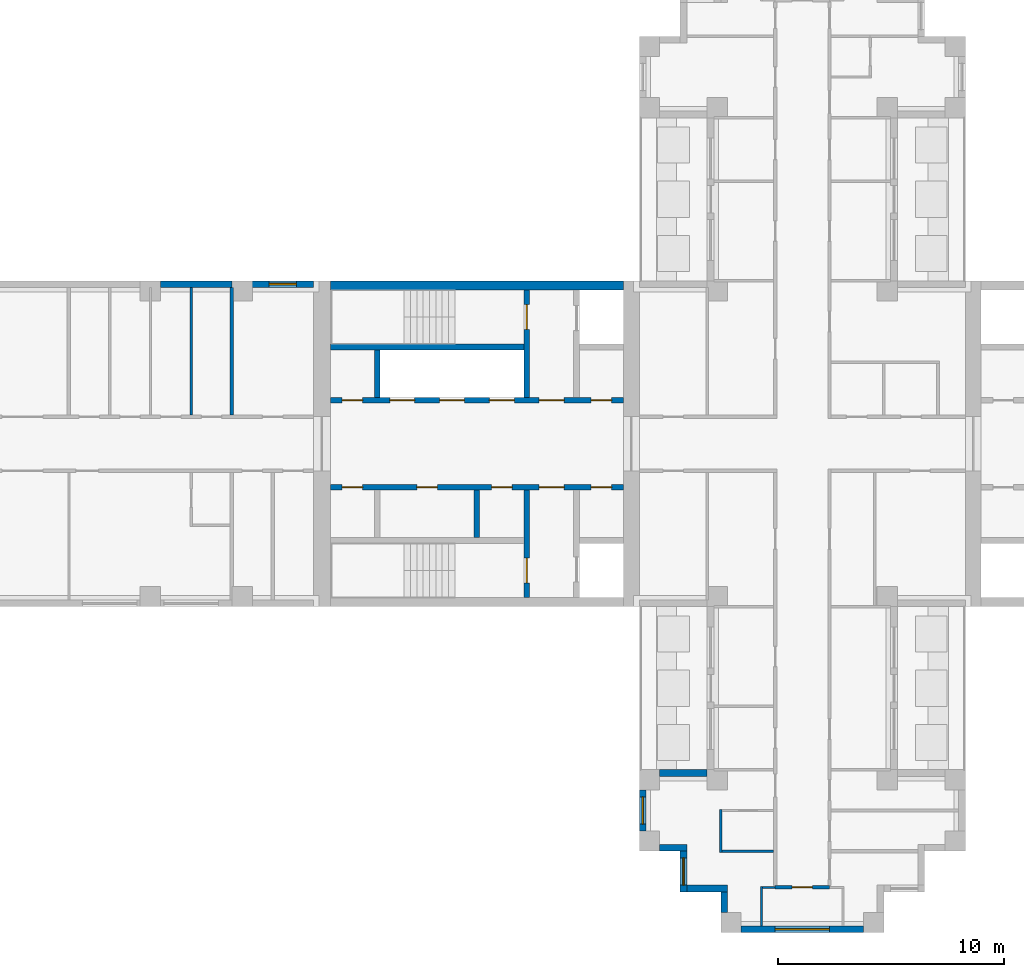
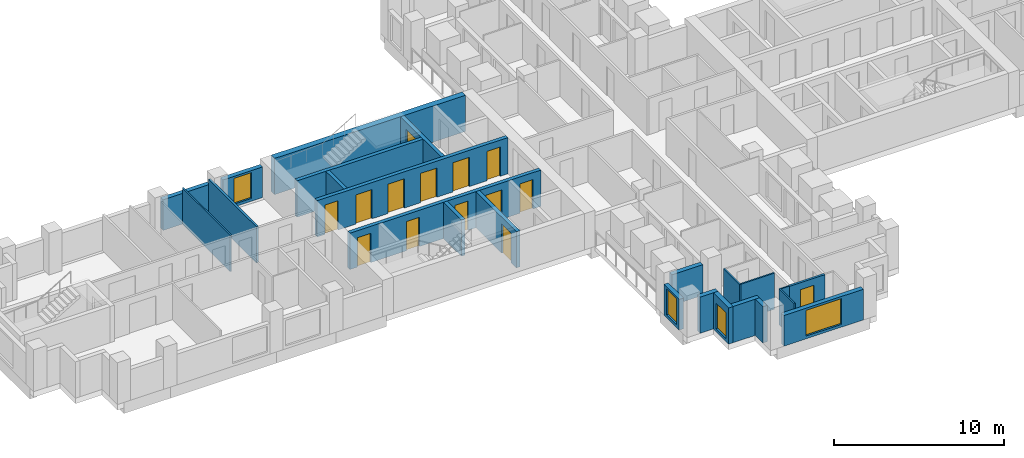
# One storey, part 3 of 10: 24 walls, 14 doors, 4 windows, 18 openings.
"""IFC4 building model written with IfcOpenShell, lengths in metres."""

from ifc_helpers import new_model, si_unit, direction, frame, frame_2d, origin, place, context, subcontext, project, spatial, rectangle, extrude, material, layer, layer_set, type_object, element, fill, save


model = new_model("IFC4")

# Units and contexts
model_context = context("Model", 3, precision=1e-05, world=origin(), true_north=direction((0.0, 1.0)))
body_context = subcontext(model_context, "Body", "Model", "MODEL_VIEW")
ifc_project = project(units=[si_unit("LENGTHUNIT", "METRE"), si_unit("AREAUNIT", "SQUARE_METRE"), si_unit("VOLUMEUNIT", "CUBIC_METRE"), si_unit("PLANEANGLEUNIT", "RADIAN"), si_unit("MASSUNIT", "GRAM", prefix="KILO")], contexts=[model_context])

# Site, building, storey
site_placement = place(None, origin())
site = spatial("IfcSite", under=ifc_project, at=site_placement, CompositionType="ELEMENT")
building_placement = place(site_placement, origin())
building = spatial("IfcBuilding", under=site, at=building_placement, Name="Fustian Cross Tower", CompositionType="ELEMENT")
storey_placement = place(building_placement, frame((0.0, 0.0, 185.699951171875)))
storey = spatial("IfcBuildingStorey", under=building, at=storey_placement, Name="L58", CompositionType="ELEMENT", Elevation=185.699951171875)

# Wall
ifc_material_1 = material(Name="Plasterboard on steel stud", Category="steel")
ifc_layer_1 = layer(ifc_material_1, 0.14990234375)
ifc_layer_set_1 = layer_set([ifc_layer_1], Name="Plasterboard on steel stud")
wall_type_1 = type_object("IfcWallType", Name="COMPARTMENT WALL 150 EI 60", PredefinedType="PARTITIONING", material=ifc_layer_set_1)
wall_1_placement = place(storey_placement, frame((-25.199951171875, 1.27490234375, 0.0), z_axis=(0.0, 0.0, 1.0), x_axis=(0.0, 1.0, 0.0)))
element("IfcWall", 1, at=wall_1_placement, inside=storey, type_object=wall_type_1, Name="Partition 11", PredefinedType="PARTITIONING", context=body_context, shape_type="SweptSolid", body=[
    extrude(rectangle(XDim=5.625, YDim=0.14990234375, at=frame_2d((2.8125, 0.0))), origin(), (0.0, 0.0, 1.0), 2.60009765625),
])

# Wall, opening, door
wall_2_placement = place(storey_placement, frame((-1.199951171875, -19.60009765625, 0.0), z_axis=(0.0, 0.0, 1.0), x_axis=(1.0, 0.0, 0.0)))
wall_2 = element("IfcWall", 2, at=wall_2_placement, inside=storey, type_object=wall_type_1, Name="Partition 32", PredefinedType="PARTITIONING", context=body_context, shape_type="SweptSolid", body=[
    extrude(rectangle(XDim=2.39990234375, YDim=0.14990234375, at=frame_2d((1.199951171875, 0.0))), origin(), (0.0, 0.0, 1.0), 2.60009765625),
])
opening_1_placement = place(wall_2_placement, frame((0.75, 0.0, 0.0)))
opening_1 = element("IfcOpeningElement", 3, at=opening_1_placement, cuts=wall_2, Name="Opening D26038", PredefinedType="OPENING", context=body_context, shape_type="SweptSolid", body=[
    extrude(rectangle(XDim=0.89990234375, YDim=2.10009765625, at=frame_2d((0.449951171875, 1.050048828125))), frame((0.0, 0.0849609375, 0.0), z_axis=(0.0, -1.0, 0.0), x_axis=(1.0, 0.0, 0.0)), (0.0, 0.0, 1.0), 0.169921875),
])
ifc_material_2 = material(Name="Timber fire door set", Category="wood")
door_type_1 = type_object("IfcDoorType", Name="FIRE SWING DOOR 900 FD30S", OperationType="SINGLE_SWING_LEFT", PredefinedType="DOOR", material=ifc_material_2)
door_1_placement = place(opening_1_placement, frame((0.89990234375, 0.0, 0.0), z_axis=(0.0, 0.0, 1.0), x_axis=(-1.0, 0.0, 0.0)))
door_1 = element("IfcDoor", 4, at=door_1_placement, inside=storey, type_object=door_type_1, Name="Door D26038", OperationType="SINGLE_SWING_RIGHT", OverallHeight=2.10009765625, OverallWidth=0.89990234375, PredefinedType="DOOR", context=body_context, shape_type="SweptSolid", body=[
    extrude(rectangle(XDim=0.89990234375, YDim=2.10009765625, at=frame_2d((0.449951171875, 1.050048828125))), frame((0.0, 0.02490234375, 0.0), z_axis=(0.0, -1.0, 0.0), x_axis=(1.0, 0.0, 0.0)), (0.0, 0.0, 1.0), 0.050048828125),
])
fill(opening_1, door_1)

# Wall
ifc_material_3 = material(Name="Concrete C50/60", Category="concrete")
ifc_layer_2 = layer(ifc_material_3, 0.39990234375)
ifc_layer_set_2 = layer_set([ifc_layer_2], Name="Concrete C50/60")
wall_type_2 = type_object("IfcWallType", Name="CORE FACADE WALL 400 C50/60", PredefinedType="SHEAR", material=ifc_layer_set_2)
wall_3_placement = place(storey_placement, frame((-7.89990234375, 7.0, 0.0), z_axis=(0.0, 0.0, 1.0), x_axis=(-1.0, 0.0, 0.0)))
element("IfcWall", 5, at=wall_3_placement, inside=storey, type_object=wall_type_2, Name="Core facade wall", PredefinedType="SHEAR", context=body_context, shape_type="SweptSolid", body=[
    extrude(rectangle(XDim=12.9501953125, YDim=0.39990234375, at=frame_2d((6.47509765625, 0.0))), origin(), (0.0, 0.0, 1.0), 2.60009765625),
])

# Wall, openings, doors
ifc_material_4 = material(Name="Concrete C50/60", Category="concrete")
ifc_layer_3 = layer(ifc_material_4, 0.25)
ifc_layer_set_3 = layer_set([ifc_layer_3], Name="Concrete C50/60")
wall_type_3 = type_object("IfcWallType", Name="CORE LOBBY WALL 250 C50/60", PredefinedType="SHEAR", material=ifc_layer_set_3)
wall_4_placement = place(storey_placement, frame((-7.89990234375, 1.925048828125, 0.0), z_axis=(0.0, 0.0, 1.0), x_axis=(-1.0, 0.0, 0.0)))
wall_4 = element("IfcWall", 6, at=wall_4_placement, inside=storey, type_object=wall_type_3, Name="Core lobby wall", PredefinedType="SHEAR", context=body_context, shape_type="SweptSolid", body=[
    extrude(rectangle(XDim=12.9501953125, YDim=0.25, at=frame_2d((6.47509765625, 0.0))), origin(), (0.0, 0.0, 1.0), 2.60009765625),
])
opening_2_placement = place(wall_4_placement, frame((4.824951171875, 0.0, 0.0)))
opening_2 = element("IfcOpeningElement", 7, at=opening_2_placement, cuts=wall_4, Name="Opening LD", PredefinedType="OPENING", context=body_context, shape_type="SweptSolid", body=[
    extrude(rectangle(XDim=1.10009765625, YDim=2.10009765625, at=frame_2d((0.550048828125, 1.050048828125))), frame((0.0, 0.135009765625, 0.0), z_axis=(0.0, -1.0, 0.0), x_axis=(1.0, 0.0, 0.0)), (0.0, 0.0, 1.0), 0.27001953125),
])
opening_3_placement = place(wall_4_placement, frame((7.02490234375, 0.0, 0.0)))
opening_3 = element("IfcOpeningElement", 8, at=opening_3_placement, cuts=wall_4, Name="Opening LD", PredefinedType="OPENING", context=body_context, shape_type="SweptSolid", body=[
    extrude(rectangle(XDim=1.10009765625, YDim=2.10009765625, at=frame_2d((0.550048828125, 1.050048828125))), frame((0.0, 0.135009765625, 0.0), z_axis=(0.0, -1.0, 0.0), x_axis=(1.0, 0.0, 0.0)), (0.0, 0.0, 1.0), 0.27001953125),
])
opening_4_placement = place(wall_4_placement, frame((9.22509765625, 0.0, 0.0)))
opening_4 = element("IfcOpeningElement", 9, at=opening_4_placement, cuts=wall_4, Name="Opening LD", PredefinedType="OPENING", context=body_context, shape_type="SweptSolid", body=[
    extrude(rectangle(XDim=1.10009765625, YDim=2.10009765625, at=frame_2d((0.550048828125, 1.050048828125))), frame((0.0, 0.135009765625, 0.0), z_axis=(0.0, -1.0, 0.0), x_axis=(1.0, 0.0, 0.0)), (0.0, 0.0, 1.0), 0.27001953125),
])
opening_5_placement = place(wall_4_placement, frame((0.52490234375, 0.0, 0.0)))
opening_5 = element("IfcOpeningElement", 10, at=opening_5_placement, cuts=wall_4, Name="Opening CD-23-25", PredefinedType="OPENING", context=body_context, shape_type="SweptSolid", body=[
    extrude(rectangle(XDim=0.89990234375, YDim=2.10009765625, at=frame_2d((0.449951171875, 1.050048828125))), frame((0.0, 0.135009765625, 0.0), z_axis=(0.0, -1.0, 0.0), x_axis=(1.0, 0.0, 0.0)), (0.0, 0.0, 1.0), 0.27001953125),
])
opening_6_placement = place(wall_4_placement, frame((2.625, 0.0, 0.0)))
opening_6 = element("IfcOpeningElement", 11, at=opening_6_placement, cuts=wall_4, Name="Opening CD-23-27", PredefinedType="OPENING", context=body_context, shape_type="SweptSolid", body=[
    extrude(rectangle(XDim=1.10009765625, YDim=2.10009765625, at=frame_2d((0.550048828125, 1.050048828125))), frame((0.0, 0.135009765625, 0.0), z_axis=(0.0, -1.0, 0.0), x_axis=(1.0, 0.0, 0.0)), (0.0, 0.0, 1.0), 0.27001953125),
])
opening_7_placement = place(wall_4_placement, frame((11.52490234375, 0.0, 0.0)))
opening_7 = element("IfcOpeningElement", 12, at=opening_7_placement, cuts=wall_4, Name="Opening CD-23-31", PredefinedType="OPENING", context=body_context, shape_type="SweptSolid", body=[
    extrude(rectangle(XDim=0.89990234375, YDim=2.10009765625, at=frame_2d((0.449951171875, 1.050048828125))), frame((0.0, 0.135009765625, 0.0), z_axis=(0.0, -1.0, 0.0), x_axis=(1.0, 0.0, 0.0)), (0.0, 0.0, 1.0), 0.27001953125),
])
ifc_material_5 = material(Name="Steel", Category="steel")
door_type_2 = type_object("IfcDoorType", Name="FIRE DOOR FD30S 900X2100", OperationType="SINGLE_SWING_LEFT", PredefinedType="DOOR", material=ifc_material_5)
door_2_placement = place(opening_7_placement, frame((0.89990234375, 0.0, 0.0), z_axis=(0.0, 0.0, 1.0), x_axis=(-1.0, 0.0, 0.0)))
door_2 = element("IfcDoor", 13, at=door_2_placement, inside=storey, type_object=door_type_2, Name="Core door CD-23-31", OperationType="SINGLE_SWING_RIGHT", OverallHeight=2.10009765625, OverallWidth=0.89990234375, PredefinedType="DOOR", context=body_context, shape_type="SweptSolid", body=[
    extrude(rectangle(XDim=0.89990234375, YDim=2.10009765625, at=frame_2d((0.449951171875, 1.050048828125))), frame((0.0, 0.02490234375, 0.0), z_axis=(0.0, -1.0, 0.0), x_axis=(1.0, 0.0, 0.0)), (0.0, 0.0, 1.0), 0.050048828125),
])
fill(opening_7, door_2)
ifc_material_6 = material(Name="Steel", Category="steel")
door_type_3 = type_object("IfcDoorType", Name="FIRE DOOR FD60S 1100X2100", OperationType="SINGLE_SWING_LEFT", PredefinedType="DOOR", material=ifc_material_6)
door_3_placement = place(opening_6_placement, frame((1.10009765625, 0.0, 0.0), z_axis=(0.0, 0.0, 1.0), x_axis=(-1.0, 0.0, 0.0)))
door_3 = element("IfcDoor", 14, at=door_3_placement, inside=storey, type_object=door_type_3, Name="Core door CD-23-27", OperationType="SINGLE_SWING_RIGHT", OverallHeight=2.10009765625, OverallWidth=1.10009765625, PredefinedType="DOOR", context=body_context, shape_type="SweptSolid", body=[
    extrude(rectangle(XDim=1.10009765625, YDim=2.10009765625, at=frame_2d((0.550048828125, 1.050048828125))), frame((0.0, 0.02490234375, 0.0), z_axis=(0.0, -1.0, 0.0), x_axis=(1.0, 0.0, 0.0)), (0.0, 0.0, 1.0), 0.050048828125),
])
fill(opening_6, door_3)
ifc_material_7 = material(Name="Steel", Category="steel")
door_type_4 = type_object("IfcDoorType", Name="FIRE DOOR FD60S 900X2100", OperationType="SINGLE_SWING_LEFT", PredefinedType="DOOR", material=ifc_material_7)
door_4_placement = place(opening_5_placement, frame((0.89990234375, 0.0, 0.0), z_axis=(0.0, 0.0, 1.0), x_axis=(-1.0, 0.0, 0.0)))
door_4 = element("IfcDoor", 15, at=door_4_placement, inside=storey, type_object=door_type_4, Name="Core door CD-23-25", OperationType="SINGLE_SWING_RIGHT", OverallHeight=2.10009765625, OverallWidth=0.89990234375, PredefinedType="DOOR", context=body_context, shape_type="SweptSolid", body=[
    extrude(rectangle(XDim=0.89990234375, YDim=2.10009765625, at=frame_2d((0.449951171875, 1.050048828125))), frame((0.0, 0.02490234375, 0.0), z_axis=(0.0, -1.0, 0.0), x_axis=(1.0, 0.0, 0.0)), (0.0, 0.0, 1.0), 0.050048828125),
])
fill(opening_5, door_4)
ifc_material_8 = material(Name="Stainless steel", Category="steel")
door_type_5 = type_object("IfcDoorType", Name="LIFT LANDING DOOR 1100X2100", OperationType="SLIDING_TO_LEFT", PredefinedType="DOOR", material=ifc_material_8)
door_5_placement = place(opening_2_placement, origin())
door_5 = element("IfcDoor", 16, at=door_5_placement, inside=storey, type_object=door_type_5, Name="Landing door HR1W", OperationType="SLIDING_TO_LEFT", OverallHeight=2.10009765625, OverallWidth=1.10009765625, PredefinedType="DOOR", context=body_context, shape_type="SweptSolid", body=[
    extrude(rectangle(XDim=1.10009765625, YDim=2.10009765625, at=frame_2d((0.550048828125, 1.050048828125))), frame((0.0, 0.02490234375, 0.0), z_axis=(0.0, -1.0, 0.0), x_axis=(1.0, 0.0, 0.0)), (0.0, 0.0, 1.0), 0.050048828125),
])
fill(opening_2, door_5)
door_6_placement = place(opening_3_placement, origin())
door_6 = element("IfcDoor", 17, at=door_6_placement, inside=storey, type_object=door_type_5, Name="Landing door HR2W", OperationType="SLIDING_TO_LEFT", OverallHeight=2.10009765625, OverallWidth=1.10009765625, PredefinedType="DOOR", context=body_context, shape_type="SweptSolid", body=[
    extrude(rectangle(XDim=1.10009765625, YDim=2.10009765625, at=frame_2d((0.550048828125, 1.050048828125))), frame((0.0, 0.02490234375, 0.0), z_axis=(0.0, -1.0, 0.0), x_axis=(1.0, 0.0, 0.0)), (0.0, 0.0, 1.0), 0.050048828125),
])
fill(opening_3, door_6)
door_7_placement = place(opening_4_placement, origin())
door_7 = element("IfcDoor", 18, at=door_7_placement, inside=storey, type_object=door_type_5, Name="Landing door HR3W", OperationType="SLIDING_TO_LEFT", OverallHeight=2.10009765625, OverallWidth=1.10009765625, PredefinedType="DOOR", context=body_context, shape_type="SweptSolid", body=[
    extrude(rectangle(XDim=1.10009765625, YDim=2.10009765625, at=frame_2d((0.550048828125, 1.050048828125))), frame((0.0, 0.02490234375, 0.0), z_axis=(0.0, -1.0, 0.0), x_axis=(1.0, 0.0, 0.0)), (0.0, 0.0, 1.0), 0.050048828125),
])
fill(opening_4, door_7)

wall_5_placement = place(storey_placement, frame((-7.89990234375, -1.925048828125, 0.0), z_axis=(0.0, 0.0, 1.0), x_axis=(-1.0, 0.0, 0.0)))
wall_5 = element("IfcWall", 19, at=wall_5_placement, inside=storey, type_object=wall_type_3, Name="Core lobby wall", PredefinedType="SHEAR", context=body_context, shape_type="SweptSolid", body=[
    extrude(rectangle(XDim=12.9501953125, YDim=0.25, at=frame_2d((6.47509765625, 0.0))), origin(), (0.0, 0.0, 1.0), 2.60009765625),
])
opening_8_placement = place(wall_5_placement, frame((0.52490234375, 0.0, 0.0)))
opening_8 = element("IfcOpeningElement", 20, at=opening_8_placement, cuts=wall_5, Name="Opening CD-23-26", PredefinedType="OPENING", context=body_context, shape_type="SweptSolid", body=[
    extrude(rectangle(XDim=0.89990234375, YDim=2.10009765625, at=frame_2d((0.449951171875, 1.050048828125))), frame((0.0, 0.135009765625, 0.0), z_axis=(0.0, -1.0, 0.0), x_axis=(1.0, 0.0, 0.0)), (0.0, 0.0, 1.0), 0.27001953125),
])
opening_9_placement = place(wall_5_placement, frame((2.625, 0.0, 0.0)))
opening_9 = element("IfcOpeningElement", 21, at=opening_9_placement, cuts=wall_5, Name="Opening CD-23-28", PredefinedType="OPENING", context=body_context, shape_type="SweptSolid", body=[
    extrude(rectangle(XDim=1.10009765625, YDim=2.10009765625, at=frame_2d((0.550048828125, 1.050048828125))), frame((0.0, 0.135009765625, 0.0), z_axis=(0.0, -1.0, 0.0), x_axis=(1.0, 0.0, 0.0)), (0.0, 0.0, 1.0), 0.27001953125),
])
opening_10_placement = place(wall_5_placement, frame((4.925048828125, 0.0, 0.0)))
opening_10 = element("IfcOpeningElement", 22, at=opening_10_placement, cuts=wall_5, Name="Opening CD-23-32", PredefinedType="OPENING", context=body_context, shape_type="SweptSolid", body=[
    extrude(rectangle(XDim=0.89990234375, YDim=2.10009765625, at=frame_2d((0.449951171875, 1.050048828125))), frame((0.0, 0.135009765625, 0.0), z_axis=(0.0, -1.0, 0.0), x_axis=(1.0, 0.0, 0.0)), (0.0, 0.0, 1.0), 0.27001953125),
])
opening_11_placement = place(wall_5_placement, frame((8.22509765625, 0.0, 0.0)))
opening_11 = element("IfcOpeningElement", 23, at=opening_11_placement, cuts=wall_5, Name="Opening CD-23-33", PredefinedType="OPENING", context=body_context, shape_type="SweptSolid", body=[
    extrude(rectangle(XDim=0.89990234375, YDim=2.10009765625, at=frame_2d((0.449951171875, 1.050048828125))), frame((0.0, 0.135009765625, 0.0), z_axis=(0.0, -1.0, 0.0), x_axis=(1.0, 0.0, 0.0)), (0.0, 0.0, 1.0), 0.27001953125),
])
opening_12_placement = place(wall_5_placement, frame((11.52490234375, 0.0, 0.0)))
opening_12 = element("IfcOpeningElement", 24, at=opening_12_placement, cuts=wall_5, Name="Opening CD-23-34", PredefinedType="OPENING", context=body_context, shape_type="SweptSolid", body=[
    extrude(rectangle(XDim=0.89990234375, YDim=2.10009765625, at=frame_2d((0.449951171875, 1.050048828125))), frame((0.0, 0.135009765625, 0.0), z_axis=(0.0, -1.0, 0.0), x_axis=(1.0, 0.0, 0.0)), (0.0, 0.0, 1.0), 0.27001953125),
])
ifc_material_9 = material(Name="Steel", Category="steel")
door_type_6 = type_object("IfcDoorType", Name="FIRE DOOR FD30S 1100X2100", OperationType="SINGLE_SWING_LEFT", PredefinedType="DOOR", material=ifc_material_9)
door_8_placement = place(opening_9_placement, frame((1.10009765625, 0.0, 0.0), z_axis=(0.0, 0.0, 1.0), x_axis=(-1.0, 0.0, 0.0)))
door_8 = element("IfcDoor", 25, at=door_8_placement, inside=storey, type_object=door_type_6, Name="Core door CD-23-28", OperationType="SINGLE_SWING_RIGHT", OverallHeight=2.10009765625, OverallWidth=1.10009765625, PredefinedType="DOOR", context=body_context, shape_type="SweptSolid", body=[
    extrude(rectangle(XDim=1.10009765625, YDim=2.10009765625, at=frame_2d((0.550048828125, 1.050048828125))), frame((0.0, 0.02490234375, 0.0), z_axis=(0.0, -1.0, 0.0), x_axis=(1.0, 0.0, 0.0)), (0.0, 0.0, 1.0), 0.050048828125),
])
fill(opening_9, door_8)
door_9_placement = place(opening_8_placement, origin())
door_9 = element("IfcDoor", 26, at=door_9_placement, inside=storey, type_object=door_type_2, Name="Core door CD-23-26", OperationType="SINGLE_SWING_LEFT", OverallHeight=2.10009765625, OverallWidth=0.89990234375, PredefinedType="DOOR", context=body_context, shape_type="SweptSolid", body=[
    extrude(rectangle(XDim=0.89990234375, YDim=2.10009765625, at=frame_2d((0.449951171875, 1.050048828125))), frame((0.0, 0.02490234375, 0.0), z_axis=(0.0, -1.0, 0.0), x_axis=(1.0, 0.0, 0.0)), (0.0, 0.0, 1.0), 0.050048828125),
])
fill(opening_8, door_9)
door_10_placement = place(opening_10_placement, origin())
door_10 = element("IfcDoor", 27, at=door_10_placement, inside=storey, type_object=door_type_2, Name="Core door CD-23-32", OperationType="SINGLE_SWING_LEFT", OverallHeight=2.10009765625, OverallWidth=0.89990234375, PredefinedType="DOOR", context=body_context, shape_type="SweptSolid", body=[
    extrude(rectangle(XDim=0.89990234375, YDim=2.10009765625, at=frame_2d((0.449951171875, 1.050048828125))), frame((0.0, 0.02490234375, 0.0), z_axis=(0.0, -1.0, 0.0), x_axis=(1.0, 0.0, 0.0)), (0.0, 0.0, 1.0), 0.050048828125),
])
fill(opening_10, door_10)
door_11_placement = place(opening_11_placement, origin())
door_11 = element("IfcDoor", 28, at=door_11_placement, inside=storey, type_object=door_type_2, Name="Core door CD-23-33", OperationType="SINGLE_SWING_RIGHT", OverallHeight=2.10009765625, OverallWidth=0.89990234375, PredefinedType="DOOR", context=body_context, shape_type="SweptSolid", body=[
    extrude(rectangle(XDim=0.89990234375, YDim=2.10009765625, at=frame_2d((0.449951171875, 1.050048828125))), frame((0.0, 0.02490234375, 0.0), z_axis=(0.0, -1.0, 0.0), x_axis=(1.0, 0.0, 0.0)), (0.0, 0.0, 1.0), 0.050048828125),
])
fill(opening_11, door_11)
door_12_placement = place(opening_12_placement, origin())
door_12 = element("IfcDoor", 29, at=door_12_placement, inside=storey, type_object=door_type_2, Name="Core door CD-23-34", OperationType="SINGLE_SWING_LEFT", OverallHeight=2.10009765625, OverallWidth=0.89990234375, PredefinedType="DOOR", context=body_context, shape_type="SweptSolid", body=[
    extrude(rectangle(XDim=0.89990234375, YDim=2.10009765625, at=frame_2d((0.449951171875, 1.050048828125))), frame((0.0, 0.02490234375, 0.0), z_axis=(0.0, -1.0, 0.0), x_axis=(1.0, 0.0, 0.0)), (0.0, 0.0, 1.0), 0.050048828125),
])
fill(opening_12, door_12)

# Wall
ifc_material_10 = material(Name="Concrete C50/60", Category="concrete")
ifc_layer_4 = layer(ifc_material_10, 0.25)
ifc_layer_set_4 = layer_set([ifc_layer_4], Name="Concrete C50/60")
wall_type_4 = type_object("IfcWallType", Name="CORE SHAFT WALL 250 C50/60", PredefinedType="SHEAR", material=ifc_layer_set_4)
wall_6_placement = place(storey_placement, frame((-12.300048828125, 4.27490234375, 0.0), z_axis=(0.0, 0.0, 1.0), x_axis=(-1.0, 0.0, 0.0)))
element("IfcWall", 30, at=wall_6_placement, inside=storey, type_object=wall_type_4, Name="Core shaft wall", PredefinedType="SHEAR", context=body_context, shape_type="SweptSolid", body=[
    extrude(rectangle(XDim=8.550048828125, YDim=0.25, at=frame_2d((4.27490234375, 0.0))), origin(), (0.0, 0.0, 1.0), 2.60009765625),
])

# Wall, opening, door
wall_7_placement = place(storey_placement, frame((-12.175048828125, 2.050048828125, 0.0), z_axis=(0.0, 0.0, 1.0), x_axis=(0.0, 1.0, 0.0)))
wall_7 = element("IfcWall", 31, at=wall_7_placement, inside=storey, type_object=wall_type_4, Name="Core shaft wall", PredefinedType="SHEAR", context=body_context, shape_type="SweptSolid", body=[
    extrude(rectangle(XDim=4.75, YDim=0.25, at=frame_2d((2.375, 0.0))), origin(), (0.0, 0.0, 1.0), 2.60009765625),
])
opening_13_placement = place(wall_7_placement, frame((3.0, 0.0, 0.0)))
opening_13 = element("IfcOpeningElement", 32, at=opening_13_placement, cuts=wall_7, Name="Opening CD-23-23", PredefinedType="OPENING", context=body_context, shape_type="SweptSolid", body=[
    extrude(rectangle(XDim=1.10009765625, YDim=2.10009765625, at=frame_2d((0.550048828125, 1.050048828125))), frame((0.0, 0.135009765625, 0.0), z_axis=(0.0, -1.0, 0.0), x_axis=(1.0, 0.0, 0.0)), (0.0, 0.0, 1.0), 0.27001953125),
])
door_13_placement = place(opening_13_placement, origin())
door_13 = element("IfcDoor", 33, at=door_13_placement, inside=storey, type_object=door_type_3, Name="Core door CD-23-23", OperationType="SINGLE_SWING_LEFT", OverallHeight=2.10009765625, OverallWidth=1.10009765625, PredefinedType="DOOR", context=body_context, shape_type="SweptSolid", body=[
    extrude(rectangle(XDim=1.10009765625, YDim=2.10009765625, at=frame_2d((0.550048828125, 1.050048828125))), frame((0.0, 0.02490234375, 0.0), z_axis=(0.0, -1.0, 0.0), x_axis=(1.0, 0.0, 0.0)), (0.0, 0.0, 1.0), 0.050048828125),
])
fill(opening_13, door_13)

wall_8_placement = place(storey_placement, frame((-12.175048828125, -2.050048828125, 0.0), z_axis=(0.0, 0.0, 1.0), x_axis=(0.0, -1.0, 0.0)))
wall_8 = element("IfcWall", 34, at=wall_8_placement, inside=storey, type_object=wall_type_4, Name="Core shaft wall", PredefinedType="SHEAR", context=body_context, shape_type="SweptSolid", body=[
    extrude(rectangle(XDim=4.75, YDim=0.25, at=frame_2d((2.375, 0.0))), origin(), (0.0, 0.0, 1.0), 2.60009765625),
])
opening_14_placement = place(wall_8_placement, frame((3.0, 0.0, 0.0)))
opening_14 = element("IfcOpeningElement", 35, at=opening_14_placement, cuts=wall_8, Name="Opening CD-23-24", PredefinedType="OPENING", context=body_context, shape_type="SweptSolid", body=[
    extrude(rectangle(XDim=1.10009765625, YDim=2.10009765625, at=frame_2d((0.550048828125, 1.050048828125))), frame((0.0, 0.135009765625, 0.0), z_axis=(0.0, -1.0, 0.0), x_axis=(1.0, 0.0, 0.0)), (0.0, 0.0, 1.0), 0.27001953125),
])
door_14_placement = place(opening_14_placement, frame((1.10009765625, 0.0, 0.0), z_axis=(0.0, 0.0, 1.0), x_axis=(-1.0, 0.0, 0.0)))
door_14 = element("IfcDoor", 36, at=door_14_placement, inside=storey, type_object=door_type_3, Name="Core door CD-23-24", OperationType="SINGLE_SWING_RIGHT", OverallHeight=2.10009765625, OverallWidth=1.10009765625, PredefinedType="DOOR", context=body_context, shape_type="SweptSolid", body=[
    extrude(rectangle(XDim=1.10009765625, YDim=2.10009765625, at=frame_2d((0.550048828125, 1.050048828125))), frame((0.0, 0.02490234375, 0.0), z_axis=(0.0, -1.0, 0.0), x_axis=(1.0, 0.0, 0.0)), (0.0, 0.0, 1.0), 0.050048828125),
])
fill(opening_14, door_14)

# Walls
ifc_material_11 = material(Name="Plasterboard on steel stud", Category="steel")
ifc_layer_5 = layer(ifc_material_11, 0.10009765625)
ifc_layer_set_5 = layer_set([ifc_layer_5], Name="Plasterboard on steel stud")
wall_type_5 = type_object("IfcWallType", Name="PARTITION 100 STUD", PredefinedType="PARTITIONING", material=ifc_layer_set_5)
wall_9_placement = place(storey_placement, frame((-27.0, 1.27490234375, 0.0), z_axis=(0.0, 0.0, 1.0), x_axis=(0.0, 1.0, 0.0)))
element("IfcWall", 37, at=wall_9_placement, inside=storey, type_object=wall_type_5, Name="Partition 9", PredefinedType="PARTITIONING", context=body_context, shape_type="SweptSolid", body=[
    extrude(rectangle(XDim=5.625, YDim=0.10009765625, at=frame_2d((2.8125, 0.0))), origin(), (0.0, 0.0, 1.0), 2.60009765625),
])
wall_10_placement = place(storey_placement, frame((-3.60009765625, -18.050048828125, 0.0), z_axis=(0.0, 0.0, 1.0), x_axis=(0.0, 1.0, 0.0)))
element("IfcWall", 38, at=wall_10_placement, inside=storey, type_object=wall_type_5, Name="Partition 24", PredefinedType="PARTITIONING", context=body_context, shape_type="SweptSolid", body=[
    extrude(rectangle(XDim=1.900146484375, YDim=0.10009765625, at=frame_2d((0.9501953125, 0.0))), origin(), (0.0, 0.0, 1.0), 2.60009765625),
])
wall_11_placement = place(storey_placement, frame((-3.550048828125, -18.0, 0.0), z_axis=(0.0, 0.0, 1.0), x_axis=(1.0, 0.0, 0.0)))
element("IfcWall", 39, at=wall_11_placement, inside=storey, type_object=wall_type_5, Name="Partition 25", PredefinedType="PARTITIONING", context=body_context, shape_type="SweptSolid", body=[
    extrude(rectangle(XDim=2.275146484375, YDim=0.10009765625, at=frame_2d((1.1376953125, 0.0))), origin(), (0.0, 0.0, 1.0), 2.60009765625),
])
wall_12_placement = place(storey_placement, frame((-1.800048828125, -21.300048828125, 0.0), z_axis=(0.0, 0.0, 1.0), x_axis=(0.0, 1.0, 0.0)))
element("IfcWall", 40, at=wall_12_placement, inside=storey, type_object=wall_type_5, Name="Partition 27", PredefinedType="PARTITIONING", context=body_context, shape_type="SweptSolid", body=[
    extrude(rectangle(XDim=1.75, YDim=0.10009765625, at=frame_2d((0.875, 0.0))), origin(), (0.0, 0.0, 1.0), 2.60009765625),
])
wall_13_placement = place(storey_placement, frame((-1.75, -19.60009765625, 0.0), z_axis=(0.0, 0.0, 1.0), x_axis=(1.0, 0.0, 0.0)))
element("IfcWall", 41, at=wall_13_placement, inside=storey, type_object=wall_type_5, Name="Partition 28", PredefinedType="PARTITIONING", context=body_context, shape_type="SweptSolid", body=[
    extrude(rectangle(XDim=0.550048828125, YDim=0.10009765625, at=frame_2d((0.27490234375, 0.0))), origin(), (0.0, 0.0, 1.0), 2.60009765625),
])
ifc_material_12 = material(Name="Concrete C40/50", Category="concrete")
ifc_layer_6 = layer(ifc_material_12, 0.25)
ifc_layer_set_6 = layer_set([ifc_layer_6], Name="Concrete C40/50")
wall_type_6 = type_object("IfcWallType", Name="SHAFT PARTITION WALL 250 C40/50", PredefinedType="PARTITIONING", material=ifc_layer_set_6)
for number, where, z_axis, x_axis, name in (
    (42, (-18.77490234375, 2.050048828125, 0.0), (0.0, 0.0, 1.0), (0.0, 1.0, 0.0), "Core shaft wall"),
    (43, (-14.375, -2.050048828125, 0.0), (0.0, 0.0, 1.0), (0.0, -1.0, 0.0), "Core shaft wall"),
):
    element("IfcWall", number, at=place(storey_placement, frame(where, z_axis=z_axis, x_axis=x_axis)), inside=storey, type_object=wall_type_6, Name=name, PredefinedType="PARTITIONING", context=body_context, shape_type="SweptSolid", body=[
        extrude(rectangle(XDim=2.099853515625, YDim=0.25, at=frame_2d((1.0498046875, 0.0))), origin(), (0.0, 0.0, 1.0), 2.60009765625),
    ])

# Wall, opening, window
ifc_material_13 = material(Name="Dark aluminium cladding on insulated backing wall", Category="aluminium")
ifc_layer_7 = layer(ifc_material_13, 0.300048828125)
ifc_layer_set_7 = layer_set([ifc_layer_7], Name="Dark aluminium cladding on insulated backing wall")
wall_type_7 = type_object("IfcWallType", Name="XW1 EXTERNAL WALL 300", PredefinedType="SOLIDWALL", material=ifc_layer_set_7)
wall_14_placement = place(storey_placement, frame((-21.60009765625, 7.050048828125, 0.0), z_axis=(0.0, 0.0, 1.0), x_axis=(-1.0, 0.0, 0.0)))
wall_14 = element("IfcWall", 44, at=wall_14_placement, inside=storey, type_object=wall_type_7, Name="External wall", PredefinedType="SOLIDWALL", context=body_context, shape_type="SweptSolid", body=[
    extrude(rectangle(XDim=2.699951171875, YDim=0.300048828125, at=frame_2d((1.35009765625, 0.0))), origin(), (0.0, 0.0, 1.0), 2.199951171875),
])
opening_15_placement = place(wall_14_placement, frame((0.75, 0.0, 0.199951171875)))
opening_15 = element("IfcOpeningElement", 45, at=opening_15_placement, cuts=wall_14, Name="Opening WN3", PredefinedType="OPENING", context=body_context, shape_type="SweptSolid", body=[
    extrude(rectangle(XDim=1.199951171875, YDim=1.85009765625, at=frame_2d((0.60009765625, 0.925048828125))), frame((0.0, 0.159912109375, 0.0), z_axis=(0.0, -1.0, 0.0), x_axis=(1.0, 0.0, 0.0)), (0.0, 0.0, 1.0), 0.320068359375),
])
ifc_material_14 = material(Name="Dark anodised aluminium and double glazing", Category="aluminium")
window_type_1 = type_object("IfcWindowType", Name="WN3 WINDOW 1200X1850", PartitioningType="SINGLE_PANEL", PredefinedType="WINDOW", material=ifc_material_14)
window_1_placement = place(opening_15_placement, origin())
window_1 = element("IfcWindow", 46, at=window_1_placement, inside=storey, type_object=window_type_1, Name="Window", OverallHeight=1.85009765625, OverallWidth=1.199951171875, PartitioningType="SINGLE_PANEL", PredefinedType="WINDOW", context=body_context, shape_type="SweptSolid", body=[
    extrude(rectangle(XDim=1.199951171875, YDim=1.85009765625, at=frame_2d((0.60009765625, 0.925048828125))), frame((0.0, 0.030029296875, 0.0), z_axis=(0.0, -1.0, 0.0), x_axis=(1.0, 0.0, 0.0)), (0.0, 0.0, 1.0), 0.06005859375),
])
fill(opening_15, window_1)

# Walls
wall_15_placement = place(storey_placement, frame((-25.199951171875, 7.050048828125, 0.0), z_axis=(0.0, 0.0, 1.0), x_axis=(-1.0, 0.0, 0.0)))
element("IfcWall", 47, at=wall_15_placement, inside=storey, type_object=wall_type_7, Name="External wall", PredefinedType="SOLIDWALL", context=body_context, shape_type="SweptSolid", body=[
    extrude(rectangle(XDim=3.150146484375, YDim=0.300048828125, at=frame_2d((1.5751953125, 0.0))), origin(), (0.0, 0.0, 1.0), 2.199951171875),
])
wall_16_placement = place(storey_placement, frame((-4.199951171875, -14.550048828125, 0.0), z_axis=(0.0, 0.0, 1.0), x_axis=(-1.0, 0.0, 0.0)))
element("IfcWall", 48, at=wall_16_placement, inside=storey, type_object=wall_type_7, Name="External wall", PredefinedType="SOLIDWALL", context=body_context, shape_type="SweptSolid", body=[
    extrude(rectangle(XDim=2.10009765625, YDim=0.300048828125, at=frame_2d((1.050048828125, 0.0))), origin(), (0.0, 0.0, 1.0), 2.199951171875),
])

# Wall, opening, window
wall_17_placement = place(storey_placement, frame((-7.050048828125, -15.300048828125, 0.0), z_axis=(0.0, 0.0, 1.0), x_axis=(0.0, -1.0, 0.0)))
wall_17 = element("IfcWall", 49, at=wall_17_placement, inside=storey, type_object=wall_type_7, Name="External wall", PredefinedType="SOLIDWALL", context=body_context, shape_type="SweptSolid", body=[
    extrude(rectangle(XDim=1.800048828125, YDim=0.300048828125, at=frame_2d((0.89990234375, 0.0))), origin(), (0.0, 0.0, 1.0), 2.199951171875),
])
opening_16_placement = place(wall_17_placement, frame((0.300048828125, 0.0, 0.199951171875)))
opening_16 = element("IfcOpeningElement", 50, at=opening_16_placement, cuts=wall_17, Name="Opening WN3", PredefinedType="OPENING", context=body_context, shape_type="SweptSolid", body=[
    extrude(rectangle(XDim=1.199951171875, YDim=1.85009765625, at=frame_2d((0.60009765625, 0.925048828125))), frame((0.0, 0.159912109375, 0.0), z_axis=(0.0, -1.0, 0.0), x_axis=(1.0, 0.0, 0.0)), (0.0, 0.0, 1.0), 0.320068359375),
])
window_2_placement = place(opening_16_placement, origin())
window_2 = element("IfcWindow", 51, at=window_2_placement, inside=storey, type_object=window_type_1, Name="Window", OverallHeight=1.85009765625, OverallWidth=1.199951171875, PartitioningType="SINGLE_PANEL", PredefinedType="WINDOW", context=body_context, shape_type="SweptSolid", body=[
    extrude(rectangle(XDim=1.199951171875, YDim=1.85009765625, at=frame_2d((0.60009765625, 0.925048828125))), frame((0.0, 0.030029296875, 0.0), z_axis=(0.0, -1.0, 0.0), x_axis=(1.0, 0.0, 0.0)), (0.0, 0.0, 1.0), 0.06005859375),
])
fill(opening_16, window_2)

# Wall
wall_18_placement = place(storey_placement, frame((-6.300048828125, -17.85009765625, 0.0), z_axis=(0.0, 0.0, 1.0), x_axis=(1.0, 0.0, 0.0)))
element("IfcWall", 52, at=wall_18_placement, inside=storey, type_object=wall_type_7, Name="External wall", PredefinedType="SOLIDWALL", context=body_context, shape_type="SweptSolid", body=[
    extrude(rectangle(XDim=1.199951171875, YDim=0.300048828125, at=frame_2d((0.60009765625, 0.0))), origin(), (0.0, 0.0, 1.0), 2.60009765625),
])

# Wall, opening, window
wall_19_placement = place(storey_placement, frame((-5.25, -18.0, 0.0), z_axis=(0.0, 0.0, 1.0), x_axis=(0.0, -1.0, 0.0)))
wall_19 = element("IfcWall", 53, at=wall_19_placement, inside=storey, type_object=wall_type_7, Name="External wall", PredefinedType="SOLIDWALL", context=body_context, shape_type="SweptSolid", body=[
    extrude(rectangle(XDim=1.800048828125, YDim=0.300048828125, at=frame_2d((0.89990234375, 0.0))), origin(), (0.0, 0.0, 1.0), 2.60009765625),
])
opening_17_placement = place(wall_19_placement, frame((0.300048828125, 0.0, 0.199951171875)))
opening_17 = element("IfcOpeningElement", 54, at=opening_17_placement, cuts=wall_19, Name="Opening WN3", PredefinedType="OPENING", context=body_context, shape_type="SweptSolid", body=[
    extrude(rectangle(XDim=1.199951171875, YDim=1.85009765625, at=frame_2d((0.60009765625, 0.925048828125))), frame((0.0, 0.159912109375, 0.0), z_axis=(0.0, -1.0, 0.0), x_axis=(1.0, 0.0, 0.0)), (0.0, 0.0, 1.0), 0.320068359375),
])
window_3_placement = place(opening_17_placement, origin())
window_3 = element("IfcWindow", 55, at=window_3_placement, inside=storey, type_object=window_type_1, Name="Window", OverallHeight=1.85009765625, OverallWidth=1.199951171875, PartitioningType="SINGLE_PANEL", PredefinedType="WINDOW", context=body_context, shape_type="SweptSolid", body=[
    extrude(rectangle(XDim=1.199951171875, YDim=1.85009765625, at=frame_2d((0.60009765625, 0.925048828125))), frame((0.0, 0.030029296875, 0.0), z_axis=(0.0, -1.0, 0.0), x_axis=(1.0, 0.0, 0.0)), (0.0, 0.0, 1.0), 0.06005859375),
])
fill(opening_17, window_3)

# Walls
wall_20_placement = place(storey_placement, frame((-5.10009765625, -19.64990234375, 0.0), z_axis=(0.0, 0.0, 1.0), x_axis=(1.0, 0.0, 0.0)))
element("IfcWall", 56, at=wall_20_placement, inside=storey, type_object=wall_type_7, Name="External wall", PredefinedType="SOLIDWALL", context=body_context, shape_type="SweptSolid", body=[
    extrude(rectangle(XDim=1.800048828125, YDim=0.300048828125, at=frame_2d((0.89990234375, 0.0))), origin(), (0.0, 0.0, 1.0), 2.60009765625),
])
wall_21_placement = place(storey_placement, frame((-3.449951171875, -19.800048828125, 0.0), z_axis=(0.0, 0.0, 1.0), x_axis=(0.0, -1.0, 0.0)))
element("IfcWall", 57, at=wall_21_placement, inside=storey, type_object=wall_type_7, Name="External wall", PredefinedType="SOLIDWALL", context=body_context, shape_type="SweptSolid", body=[
    extrude(rectangle(XDim=0.89990234375, YDim=0.300048828125, at=frame_2d((0.449951171875, 0.0))), origin(), (0.0, 0.0, 1.0), 2.60009765625),
])

# Wall, opening, window
wall_22_placement = place(storey_placement, frame((-2.699951171875, -21.449951171875, 0.0), z_axis=(0.0, 0.0, 1.0), x_axis=(1.0, 0.0, 0.0)))
wall_22 = element("IfcWall", 58, at=wall_22_placement, inside=storey, type_object=wall_type_7, Name="External wall", PredefinedType="SOLIDWALL", context=body_context, shape_type="SweptSolid", body=[
    extrude(rectangle(XDim=5.39990234375, YDim=0.300048828125, at=frame_2d((2.699951171875, 0.0))), origin(), (0.0, 0.0, 1.0), 2.199951171875),
])
opening_18_placement = place(wall_22_placement, frame((1.5, 0.0, 0.199951171875)))
opening_18 = element("IfcOpeningElement", 59, at=opening_18_placement, cuts=wall_22, Name="Opening WN1", PredefinedType="OPENING", context=body_context, shape_type="SweptSolid", body=[
    extrude(rectangle(XDim=2.39990234375, YDim=1.85009765625, at=frame_2d((1.199951171875, 0.925048828125))), frame((0.0, 0.159912109375, 0.0), z_axis=(0.0, -1.0, 0.0), x_axis=(1.0, 0.0, 0.0)), (0.0, 0.0, 1.0), 0.320068359375),
])
ifc_material_15 = material(Name="Dark anodised aluminium and double glazing", Category="aluminium")
window_type_2 = type_object("IfcWindowType", Name="WN1 WINDOW 2400X1850", PartitioningType="SINGLE_PANEL", PredefinedType="WINDOW", material=ifc_material_15)
window_4_placement = place(opening_18_placement, origin())
window_4 = element("IfcWindow", 60, at=window_4_placement, inside=storey, type_object=window_type_2, Name="Window", OverallHeight=1.85009765625, OverallWidth=2.39990234375, PartitioningType="SINGLE_PANEL", PredefinedType="WINDOW", context=body_context, shape_type="SweptSolid", body=[
    extrude(rectangle(XDim=2.39990234375, YDim=1.85009765625, at=frame_2d((1.199951171875, 0.925048828125))), frame((0.0, 0.030029296875, 0.0), z_axis=(0.0, -1.0, 0.0), x_axis=(1.0, 0.0, 0.0)), (0.0, 0.0, 1.0), 0.06005859375),
])
fill(opening_18, window_4)

save(model, "model.ifc")
